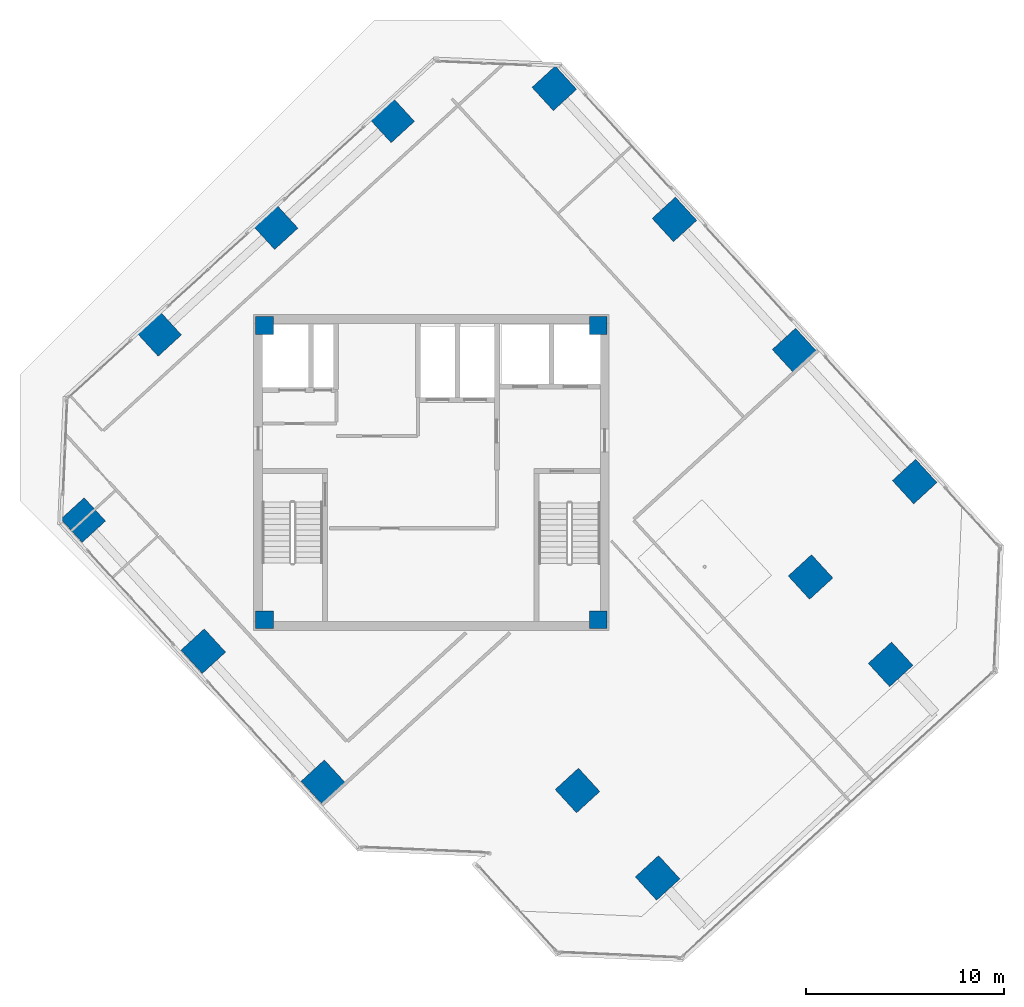
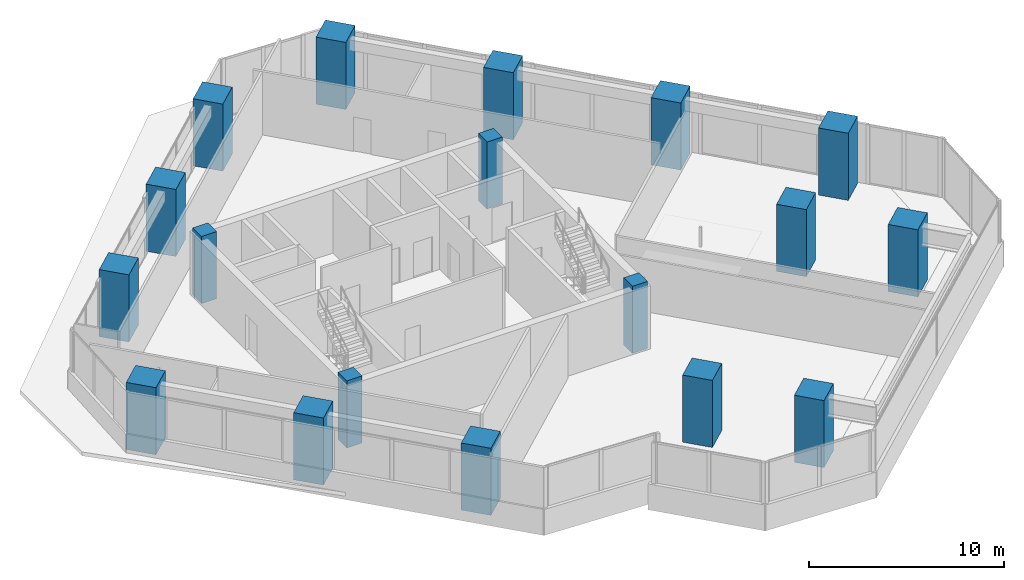
# One storey, part 1 of 17: 18 columns.
"""IFC4 building model written with IfcOpenShell, lengths in metres."""

from ifc_helpers import new_model, si_unit, direction, frame, origin, origin_2d, place, context, subcontext, project, spatial, rectangle, extrude, source, transform, mapped, material, material_profile, profile_set, type_object, element, save


model = new_model("IFC4")

# Units and contexts
model_context = context("Model", 3, precision=1e-05, world=origin(), true_north=direction((0.0, 1.0)))
body_context = subcontext(model_context, "Body", "Model", "MODEL_VIEW")
ifc_project = project(units=[si_unit("LENGTHUNIT", "METRE"), si_unit("AREAUNIT", "SQUARE_METRE"), si_unit("VOLUMEUNIT", "CUBIC_METRE"), si_unit("PLANEANGLEUNIT", "RADIAN"), si_unit("MASSUNIT", "GRAM", prefix="KILO")], contexts=[model_context])

# Site, building, storey
site_placement = place(None, origin())
site = spatial("IfcSite", under=ifc_project, at=site_placement, CompositionType="ELEMENT")
building_placement = place(site_placement, origin())
building = spatial("IfcBuilding", under=site, at=building_placement, Name="Torre Montelarca", CompositionType="ELEMENT")
storey_placement = place(building_placement, frame((0.0, 0.0, 254.199951171875)))
storey = spatial("IfcBuildingStorey", under=building, at=storey_placement, Name="L57", CompositionType="ELEMENT", Elevation=254.199951171875)

# Columns
ifc_material_1 = material(Name="Concrete C55/67", Category="concrete")
ifc_material_profile_1 = material_profile(ifc_material_1, rectangle(XDim=0.89990234375, YDim=0.89990234375, at=origin_2d()), Name="RC900X900", Category="concrete")
ifc_profile_set_1 = profile_set([ifc_material_profile_1], Name="Concrete C55/67")
column_type_1 = type_object("IfcColumnType", Name="COL-RC900", PredefinedType="COLUMN", material=ifc_profile_set_1)
shared_shape_1 = source(origin(), body_context, "Body", "SweptSolid", [
    extrude(rectangle(XDim=0.89990234375, YDim=0.89990234375, at=origin_2d()), origin(), (0.0, 0.0, 1.0), 4.198486328125),
])
for number, where, z_axis, x_axis, name in (
    (1, (9.550048828125, 24.550048828125, 0.000732421875), (0.0, 0.0, 1.0), (1.0, 0.0, 0.0), "L57 Plumb Core Corner Column 2D"),
    (2, (26.449951171875, 24.550048828125, 0.000732421875), (0.0, 0.0, 1.0), (1.0, 0.0, 0.0), "L57 Plumb Core Corner Column 4D"),
    (3, (9.550048828125, 39.449951171875, 0.000732421875), (0.0, 0.0, 1.0), (1.0, 0.0, 0.0), "L57 Plumb Core Corner Column 2F"),
    (4, (26.449951171875, 39.449951171875, 0.000732421875), (0.0, 0.0, 1.0), (1.0, 0.0, 0.0), "L57 Plumb Core Corner Column 4F"),
):
    element("IfcColumn", number, at=place(storey_placement, frame(where, z_axis=z_axis, x_axis=x_axis)), inside=storey, type_object=column_type_1, Name=name, PredefinedType="COLUMN", context=body_context, shape_type="MappedRepresentation", body=[
        mapped(shared_shape_1, transform((0.0, 0.0, 0.0), scale=1.0)),
    ])
ifc_material_2 = material(Name="Concrete C70/85", Category="concrete")
ifc_material_profile_2 = material_profile(ifc_material_2, rectangle(XDim=1.60009765625, YDim=1.60009765625, at=origin_2d()), Name="RC1600X1600", Category="concrete")
ifc_profile_set_2 = profile_set([ifc_material_profile_2], Name="Concrete C70/85")
column_type_2 = type_object("IfcColumnType", Name="COL-RC1600-EXT", PredefinedType="COLUMN", material=ifc_profile_set_2)
shared_shape_2 = source(origin(), body_context, "Body", "SweptSolid", [
    extrude(rectangle(XDim=1.60009765625, YDim=1.60009765625, at=origin_2d()), origin(), (0.0, 0.0, 1.0), 4.198486328125),
])
for number, where, z_axis, x_axis, name in (
    (5, (0.3740234375, 29.595703125, 0.000732421875), (0.0, 0.0, 1.0), (-0.675590207616, 0.73727733681, 0.0), "L57 Perimeter Mega Column 2/CS"),
    (6, (24.224853515625, 51.451171875, 0.000732421875), (0.0, 0.0, 1.0), (-0.675590207616, 0.73727733681, 0.0), "L57 Perimeter Mega Column 2/GN"),
    (7, (6.454345703125, 22.960205078125, 0.000732421875), (0.0, 0.0, 1.0), (-0.675590207616, 0.73727733681, 0.0), "L57 Perimeter Mega Column 3/CS"),
    (8, (30.30517578125, 44.815673828125, 0.000732421875), (0.0, 0.0, 1.0), (-0.675590207616, 0.73727733681, 0.0), "L57 Perimeter Mega Column 3/GN"),
    (9, (12.53466796875, 16.32470703125, 0.000732421875), (0.0, 0.0, 1.0), (-0.675590207616, 0.73727733681, 0.0), "L57 Perimeter Mega Column 4/CS"),
    (10, (36.385498046875, 38.18017578125, 0.000732421875), (0.0, 0.0, 1.0), (-0.675590207616, 0.73727733681, 0.0), "L57 Perimeter Mega Column 4/GN"),
    (11, (42.4658203125, 31.544677734375, 0.000732421875), (0.0, 0.0, 1.0), (-0.675590207616, 0.73727733681, 0.0), "L57 Perimeter Mega Column 5/GN"),
    (12, (29.451416015625, 11.481201171875, 0.000732421875), (0.0, 0.0, 1.0), (-0.675590207616, 0.73727733681, 0.0), "L57 Perimeter Mega Column 6/D"),
    (13, (41.247802734375, 22.29052734375, 0.000732421875), (0.0, 0.0, 1.0), (-0.675590207616, 0.73727733681, 0.0), "L57 Perimeter Mega Column 6/F"),
    (14, (4.218017578125, 39.018310546875, 0.000732421875), (0.0, 0.0, 1.0), (-0.675590207616, 0.73727733681, 0.0), "L57 Perimeter Mega Column 1W/D"),
    (15, (10.1162109375, 44.423095703125, 0.000732421875), (0.0, 0.0, 1.0), (-0.675590207616, 0.73727733681, 0.0), "L57 Perimeter Mega Column 1W/E"),
    (16, (16.014404296875, 49.827880859375, 0.000732421875), (0.0, 0.0, 1.0), (-0.675590207616, 0.73727733681, 0.0), "L57 Perimeter Mega Column 1W/F"),
):
    element("IfcColumn", number, at=place(storey_placement, frame(where, z_axis=z_axis, x_axis=x_axis)), inside=storey, type_object=column_type_2, Name=name, PredefinedType="COLUMN", context=body_context, shape_type="MappedRepresentation", body=[
        mapped(shared_shape_2, transform((0.0, 0.0, 0.0), scale=1.0)),
    ])
ifc_material_profile_3 = material_profile(ifc_material_2, rectangle(XDim=1.60009765625, YDim=1.60009765625, at=origin_2d()), Name="RC1600X1600", Category="concrete")
ifc_profile_set_3 = profile_set([ifc_material_profile_3], Name="Concrete C70/85")
column_type_3 = type_object("IfcColumnType", Name="COL-RC1600", PredefinedType="COLUMN", material=ifc_profile_set_3)
shared_shape_3 = source(origin(), body_context, "Body", "SweptSolid", [
    extrude(rectangle(XDim=1.60009765625, YDim=1.60009765625, at=origin_2d()), origin(), (0.0, 0.0, 1.0), 4.198486328125),
])
for number, where, z_axis, x_axis, name in (
    (17, (25.397705078125, 15.90478515625, 0.000732421875), (0.0, 0.0, 1.0), (-0.675590207616, 0.73727733681, 0.0), "L57 Column 5/D"),
    (18, (37.1943359375, 26.714111328125, 0.000732421875), (0.0, 0.0, 1.0), (-0.675590207616, 0.73727733681, 0.0), "L57 Column 5/F"),
):
    element("IfcColumn", number, at=place(storey_placement, frame(where, z_axis=z_axis, x_axis=x_axis)), inside=storey, type_object=column_type_3, Name=name, PredefinedType="COLUMN", context=body_context, shape_type="MappedRepresentation", body=[
        mapped(shared_shape_3, transform((0.0, 0.0, 0.0), scale=1.0)),
    ])

save(model, "model.ifc")
